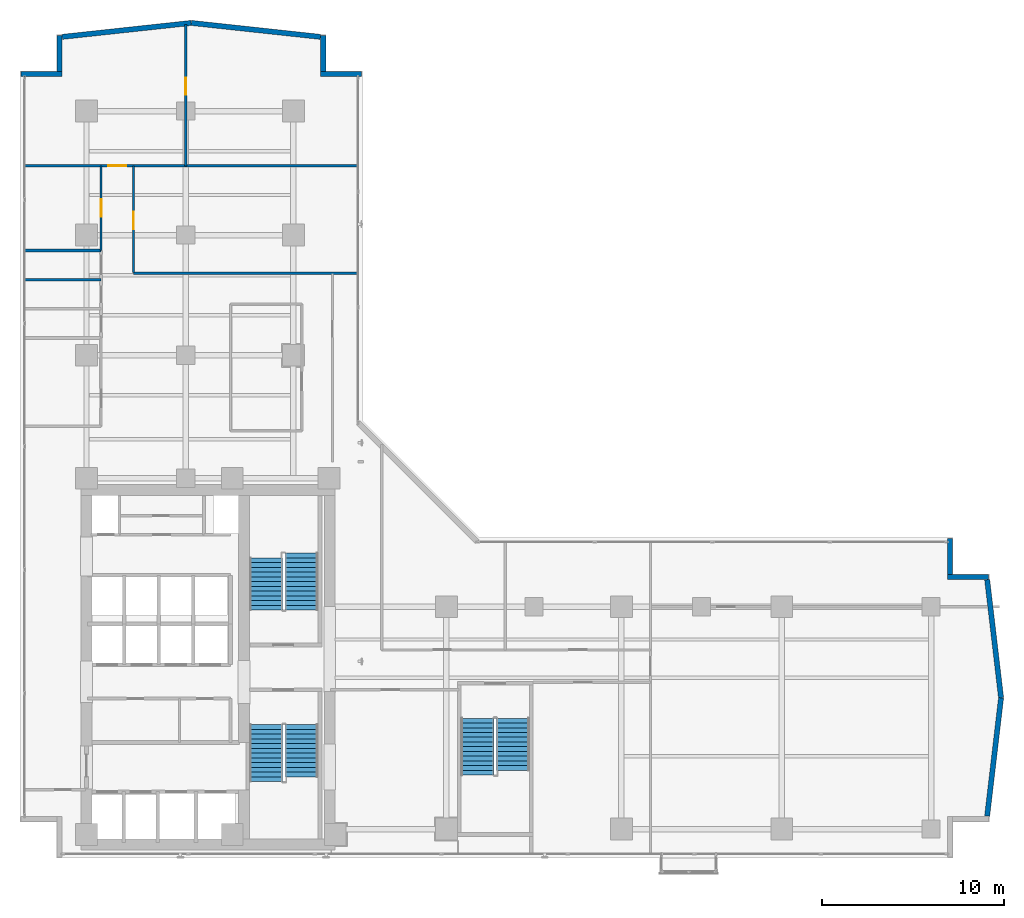
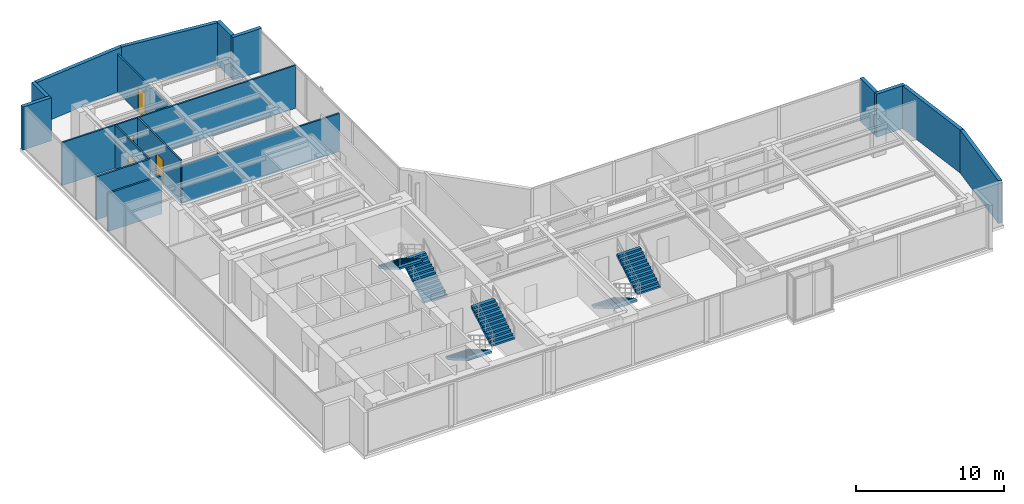
# One storey, part 21 of 26: 17 walls, 6 stair flights, 4 doors, 4 openings, 3 elements without a shape of their own.
"""IFC4 building model written with IfcOpenShell, lengths in metres."""

from ifc_helpers import new_model, si_unit, direction, frame, frame_2d, origin, place, context, subcontext, project, spatial, polyline, rectangle, outline, extrude, material, layer, layer_set, type_object, element, fill, aggregate, save


model = new_model("IFC4")

# Units and contexts
model_context = context("Model", 3, precision=1e-05, world=origin(), true_north=direction((0.0, 1.0)))
body_context = subcontext(model_context, "Body", "Model", "MODEL_VIEW")
ifc_project = project(units=[si_unit("LENGTHUNIT", "METRE"), si_unit("AREAUNIT", "SQUARE_METRE"), si_unit("VOLUMEUNIT", "CUBIC_METRE"), si_unit("PLANEANGLEUNIT", "RADIAN"), si_unit("MASSUNIT", "GRAM", prefix="KILO")], contexts=[model_context])

# Site, building, storey
site_placement = place(None, origin())
site = spatial("IfcSite", under=ifc_project, at=site_placement, CompositionType="ELEMENT")
building_placement = place(site_placement, origin())
building = spatial("IfcBuilding", under=site, at=building_placement, Name="Kolvaren Waterfront Exchange", CompositionType="ELEMENT")
storey_placement = place(building_placement, frame((0.0, 0.0, 180.39990234375)))
storey = spatial("IfcBuildingStorey", under=building, at=storey_placement, Name="L46", CompositionType="ELEMENT", Elevation=180.39990234375)

# Walls
ifc_material_1 = material(Name="Precast concrete C40/50", Category="concrete")
ifc_layer_1 = layer(ifc_material_1, 0.280029296875, Name="Precast concrete C40/50")
ifc_layer_set_1 = layer_set([ifc_layer_1], Name="Precast concrete C40/50")
wall_type_1 = type_object("IfcWallType", Name="ARC-EXT-TERR-280", PredefinedType="SOLIDWALL", material=ifc_layer_set_1)
wall_1_placement = place(storey_placement, frame((54.840087890625, 19.1650390625, 0.0), z_axis=(0.0, 0.0, 1.0), x_axis=(0.0, 1.0, 0.0)))
element("IfcWall", 1, at=wall_1_placement, inside=storey, type_object=wall_type_1, Name="L46 notched corner spandrel pier ENE-A", PredefinedType="SOLIDWALL", context=body_context, shape_type="SweptSolid", body=[
    extrude(rectangle(XDim=1.974853515625, YDim=0.280029296875, at=frame_2d((0.9873046875, 0.0))), origin(), (0.0, 0.0, 1.0), 3.56005859375),
])
for number, where, z_axis, x_axis, name in (
    (2, (54.699951171875, 19.0400390625, 0.0), (0.0, 0.0, 1.0), (1.0, 0.0, 0.0), "L46 notched corner spandrel pier ENE-B"),
    (3, (20.300048828125, 46.639892578125, 0.0), (0.0, 0.0, 1.0), (1.0, 0.0, 0.0), "L46 notched corner spandrel pier NNE-A"),
):
    element("IfcWall", number, at=place(storey_placement, frame(where, z_axis=z_axis, x_axis=x_axis)), inside=storey, type_object=wall_type_1, Name=name, PredefinedType="SOLIDWALL", context=body_context, shape_type="SweptSolid", body=[
        extrude(rectangle(XDim=2.239990234375, YDim=0.280029296875, at=frame_2d((1.1201171875, 0.0))), origin(), (0.0, 0.0, 1.0), 3.56005859375),
    ])
wall_2_placement = place(storey_placement, frame((20.43994140625, 46.780029296875, 0.0), z_axis=(0.0, 0.0, 1.0), x_axis=(0.0, 1.0, 0.0)))
element("IfcWall", 4, at=wall_2_placement, inside=storey, type_object=wall_type_1, Name="L46 notched corner spandrel pier NNE-B", PredefinedType="SOLIDWALL", context=body_context, shape_type="SweptSolid", body=[
    extrude(rectangle(XDim=1.9599609375, YDim=0.280029296875, at=frame_2d((0.97998046875, 0.0))), origin(), (0.0, 0.0, 1.0), 3.56005859375),
])
wall_3_placement = place(storey_placement, frame((3.860107421875, 46.639892578125, 0.0), z_axis=(0.0, 0.0, 1.0), x_axis=(1.0, 0.0, 0.0)))
element("IfcWall", 5, at=wall_3_placement, inside=storey, type_object=wall_type_1, Name="L46 notched corner spandrel pier NW-A", PredefinedType="SOLIDWALL", context=body_context, shape_type="SweptSolid", body=[
    extrude(rectangle(XDim=2.239990234375, YDim=0.280029296875, at=frame_2d((1.1201171875, 0.0))), origin(), (0.0, 0.0, 1.0), 3.56005859375),
])
wall_4_placement = place(storey_placement, frame((5.9599609375, 46.780029296875, 0.0), z_axis=(0.0, 0.0, 1.0), x_axis=(0.0, 1.0, 0.0)))
element("IfcWall", 6, at=wall_4_placement, inside=storey, type_object=wall_type_1, Name="L46 notched corner spandrel pier NW-B", PredefinedType="SOLIDWALL", context=body_context, shape_type="SweptSolid", body=[
    extrude(rectangle(XDim=1.9599609375, YDim=0.280029296875, at=frame_2d((0.97998046875, 0.0))), origin(), (0.0, 0.0, 1.0), 3.56005859375),
])
for number, where, z_axis, x_axis, name in (
    (7, (56.876220703125, 5.91650390625, 0.0), (0.0, 0.0, 1.0), (0.11685426921, 0.993149072278, 0.0), "L46 east prow faceted facade wall 1"),
    (8, (57.638916015625, 12.401123046875, 0.0), (0.0, 0.0, 1.0), (-0.11685426921, 0.993149072278, 0.0), "L46 east prow faceted facade wall 2"),
):
    element("IfcWall", number, at=place(storey_placement, frame(where, z_axis=z_axis, x_axis=x_axis)), inside=storey, type_object=wall_type_1, Name=name, PredefinedType="SOLIDWALL", context=body_context, shape_type="SweptSolid", body=[
        extrude(rectangle(XDim=6.52685546875, YDim=0.280029296875, at=frame_2d((3.263427734375, 0.0))), origin(), (0.0, 0.0, 1.0), 3.56005859375),
    ])
for number, where, z_axis, x_axis, name in (
    (9, (20.284423828125, 48.673095703125, 0.0), (0.0, 0.0, 1.0), (-0.994206651606, 0.107485505548, 0.0), "L46 north prow faceted facade wall 1"),
    (10, (13.197265625, 49.438720703125, 0.0), (0.0, 0.0, 1.0), (-0.994206651606, -0.107485505548, 0.0), "L46 north prow faceted facade wall 2"),
):
    element("IfcWall", number, at=place(storey_placement, frame(where, z_axis=z_axis, x_axis=x_axis)), inside=storey, type_object=wall_type_1, Name=name, PredefinedType="SOLIDWALL", context=body_context, shape_type="SweptSolid", body=[
        extrude(rectangle(XDim=7.123046875, YDim=0.280029296875, at=frame_2d((3.5615234375, 0.0))), origin(), (0.0, 0.0, 1.0), 3.56005859375),
    ])
ifc_material_2 = material(Name="Acoustic gypsum steel stud", Category="steel")
ifc_layer_2 = layer(ifc_material_2, 0.125, Name="Acoustic gypsum steel stud")
ifc_layer_set_2 = layer_set([ifc_layer_2], Name="Acoustic gypsum steel stud")
wall_type_2 = type_object("IfcWallType", Name="ARC-PART-125", PredefinedType="PARTITIONING", material=ifc_layer_set_2)
wall_5_placement = place(storey_placement, frame((10.030029296875, 35.699951171875, 0.0), z_axis=(0.0, 0.0, 1.0), x_axis=(1.0, 0.0, 0.0)))
element("IfcWall", 11, at=wall_5_placement, inside=storey, type_object=wall_type_2, Name="L46 interior wall PW-L46-RFLANK-N", PredefinedType="PARTITIONING", context=body_context, shape_type="SweptSolid", body=[
    extrude(rectangle(XDim=12.330078125, YDim=0.125, at=frame_2d((6.1650390625, 0.0))), origin(), (0.0, 0.0, 1.0), 3.16015625),
])

# Wall, opening, door
wall_6_placement = place(storey_placement, frame((8.25, 36.949951171875, 0.0), z_axis=(0.0, 0.0, 1.0), x_axis=(0.0, 1.0, 0.0)))
wall_6 = element("IfcWall", 12, at=wall_6_placement, inside=storey, type_object=wall_type_2, Name="L46 interior wall PW-L46-NW-CORR", PredefinedType="PARTITIONING", context=body_context, shape_type="SweptSolid", body=[
    extrude(rectangle(XDim=4.650146484375, YDim=0.125, at=frame_2d((2.3251953125, 0.0))), origin(), (0.0, 0.0, 1.0), 3.56005859375),
])
opening_1_placement = place(wall_6_placement, frame((1.85009765625, 0.0, 0.0)))
opening_1 = element("IfcOpeningElement", 13, at=opening_1_placement, cuts=wall_6, Name="Opening D02", PredefinedType="OPENING", context=body_context, shape_type="SweptSolid", body=[
    extrude(rectangle(XDim=0.949951171875, YDim=2.14990234375, at=frame_2d((0.47509765625, 1.074951171875))), frame((0.0, 0.072509765625, 0.0), z_axis=(0.0, -1.0, 0.0), x_axis=(1.0, 0.0, 0.0)), (0.0, 0.0, 1.0), 0.14501953125),
])
ifc_material_3 = material(Name="Oak veneer acoustic timber", Category="wood")
door_type_1 = type_object("IfcDoorType", Name="ARC-DR-950", OperationType="NOTDEFINED", PredefinedType="DOOR", material=ifc_material_3)
door_1_placement = place(opening_1_placement, origin())
door_1 = element("IfcDoor", 14, at=door_1_placement, inside=storey, type_object=door_type_1, Name="L46 door DR-L46-NW-D-1 (D02)", OperationType="SINGLE_SWING_RIGHT", OverallHeight=2.14990234375, OverallWidth=0.949951171875, PredefinedType="DOOR", context=body_context, shape_type="SweptSolid", body=[
    extrude(rectangle(XDim=0.949951171875, YDim=2.14990234375, at=frame_2d((0.47509765625, 1.074951171875))), frame((0.0, 0.02490234375, 0.0), z_axis=(0.0, -1.0, 0.0), x_axis=(1.0, 0.0, 0.0)), (0.0, 0.0, 1.0), 0.050048828125),
])
fill(opening_1, door_1)

wall_7_placement = place(storey_placement, frame((4.0400390625, 41.60009765625, 0.0), z_axis=(0.0, 0.0, 1.0), x_axis=(1.0, 0.0, 0.0)))
wall_7 = element("IfcWall", 15, at=wall_7_placement, inside=storey, type_object=wall_type_2, Name="L46 interior wall PW-L46-NTIP-S", PredefinedType="PARTITIONING", context=body_context, shape_type="SweptSolid", body=[
    extrude(rectangle(XDim=18.320068359375, YDim=0.125, at=frame_2d((9.16015625, 0.0))), origin(), (0.0, 0.0, 1.0), 3.56005859375),
])
opening_2_placement = place(wall_7_placement, frame((4.60009765625, 0.0, 0.0)))
opening_2 = element("IfcOpeningElement", 16, at=opening_2_placement, cuts=wall_7, Name="Opening D03", PredefinedType="OPENING", context=body_context, shape_type="SweptSolid", body=[
    extrude(rectangle(XDim=1.0, YDim=2.199951171875, at=frame_2d((0.5, 1.10009765625))), frame((0.0, 0.072509765625, 0.0), z_axis=(0.0, -1.0, 0.0), x_axis=(1.0, 0.0, 0.0)), (0.0, 0.0, 1.0), 0.14501953125),
])
ifc_material_4 = material(Name="Oak veneer accessible timber", Category="wood")
door_type_2 = type_object("IfcDoorType", Name="ARC-DR-1000", OperationType="NOTDEFINED", PredefinedType="DOOR", material=ifc_material_4)
door_2_placement = place(opening_2_placement, origin())
door_2 = element("IfcDoor", 17, at=door_2_placement, inside=storey, type_object=door_type_2, Name="L46 door DR-L46-NTIPW-D (D03)", OperationType="SINGLE_SWING_LEFT", OverallHeight=2.199951171875, OverallWidth=1.0, PredefinedType="DOOR", context=body_context, shape_type="SweptSolid", body=[
    extrude(rectangle(XDim=1.0, YDim=2.199951171875, at=frame_2d((0.5, 1.10009765625))), frame((0.0, 0.02490234375, 0.0), z_axis=(0.0, -1.0, 0.0), x_axis=(1.0, 0.0, 0.0)), (0.0, 0.0, 1.0), 0.050048828125),
])
fill(opening_2, door_2)

wall_8_placement = place(storey_placement, frame((12.89990234375, 41.60009765625, 0.0), z_axis=(0.0, 0.0, 1.0), x_axis=(0.0, 1.0, 0.0)))
wall_8 = element("IfcWall", 18, at=wall_8_placement, inside=storey, type_object=wall_type_2, Name="L46 interior wall PW-L46-NTIP-DIV", PredefinedType="PARTITIONING", context=body_context, shape_type="SweptSolid", body=[
    extrude(rectangle(XDim=7.760009765625, YDim=0.125, at=frame_2d((3.8798828125, 0.0))), origin(), (0.0, 0.0, 1.0), 3.110107421875),
])
opening_3_placement = place(wall_8_placement, frame((3.8935546875, 0.0, 0.0)))
opening_3 = element("IfcOpeningElement", 19, at=opening_3_placement, cuts=wall_8, Name="Opening D02", PredefinedType="OPENING", context=body_context, shape_type="SweptSolid", body=[
    extrude(rectangle(XDim=0.949951171875, YDim=2.14990234375, at=frame_2d((0.47509765625, 1.074951171875))), frame((0.0, 0.072509765625, 0.0), z_axis=(0.0, -1.0, 0.0), x_axis=(1.0, 0.0, 0.0)), (0.0, 0.0, 1.0), 0.14501953125),
])
door_3_placement = place(opening_3_placement, origin())
door_3 = element("IfcDoor", 20, at=door_3_placement, inside=storey, type_object=door_type_1, Name="L46 door DR-L46-NTIPE-D (D02)", OperationType="SINGLE_SWING_RIGHT", OverallHeight=2.14990234375, OverallWidth=0.949951171875, PredefinedType="DOOR", context=body_context, shape_type="SweptSolid", body=[
    extrude(rectangle(XDim=0.949951171875, YDim=2.14990234375, at=frame_2d((0.47509765625, 1.074951171875))), frame((0.0, 0.02490234375, 0.0), z_axis=(0.0, -1.0, 0.0), x_axis=(1.0, 0.0, 0.0)), (0.0, 0.0, 1.0), 0.050048828125),
])
fill(opening_3, door_3)

wall_9_placement = place(storey_placement, frame((10.030029296875, 35.75, 0.0), z_axis=(0.0, 0.0, 1.0), x_axis=(0.0, 1.0, 0.0)))
wall_9 = element("IfcWall", 21, at=wall_9_placement, inside=storey, type_object=wall_type_2, Name="L46 interior wall PW-L46-NE-CORR", PredefinedType="PARTITIONING", context=body_context, shape_type="SweptSolid", body=[
    extrude(rectangle(XDim=5.85009765625, YDim=0.125, at=frame_2d((2.925048828125, 0.0))), origin(), (0.0, 0.0, 1.0), 3.56005859375),
])
opening_4_placement = place(wall_9_placement, frame((2.37939453125, 0.0, 0.0)))
opening_4 = element("IfcOpeningElement", 22, at=opening_4_placement, cuts=wall_9, Name="Opening D02", PredefinedType="OPENING", context=body_context, shape_type="SweptSolid", body=[
    extrude(rectangle(XDim=0.949951171875, YDim=2.14990234375, at=frame_2d((0.47509765625, 1.074951171875))), frame((0.0, 0.072509765625, 0.0), z_axis=(0.0, -1.0, 0.0), x_axis=(1.0, 0.0, 0.0)), (0.0, 0.0, 1.0), 0.14501953125),
])
door_4_placement = place(opening_4_placement, origin())
door_4 = element("IfcDoor", 23, at=door_4_placement, inside=storey, type_object=door_type_1, Name="L46 door DR-L46-NE-D-1 (D02)", OperationType="SINGLE_SWING_LEFT", OverallHeight=2.14990234375, OverallWidth=0.949951171875, PredefinedType="DOOR", context=body_context, shape_type="SweptSolid", body=[
    extrude(rectangle(XDim=0.949951171875, YDim=2.14990234375, at=frame_2d((0.47509765625, 1.074951171875))), frame((0.0, 0.02490234375, 0.0), z_axis=(0.0, -1.0, 0.0), x_axis=(1.0, 0.0, 0.0)), (0.0, 0.0, 1.0), 0.050048828125),
])
fill(opening_4, door_4)

# Walls
ifc_material_5 = material(Name="Moisture-resistant gypsum stud")
ifc_layer_3 = layer(ifc_material_5, 0.14990234375, Name="Moisture-resistant gypsum stud")
ifc_layer_set_3 = layer_set([ifc_layer_3], Name="Moisture-resistant gypsum stud")
wall_type_3 = type_object("IfcWallType", Name="ARC-PLUMB-150", PredefinedType="PLUMBINGWALL", material=ifc_layer_set_3)
wall_10_placement = place(storey_placement, frame((4.0400390625, 35.35009765625, 0.0), z_axis=(0.0, 0.0, 1.0), x_axis=(1.0, 0.0, 0.0)))
element("IfcWall", 24, at=wall_10_placement, inside=storey, type_object=wall_type_3, Name="L46 interior wall PW-L46-WC-2", PredefinedType="PLUMBINGWALL", context=body_context, shape_type="SweptSolid", body=[
    extrude(rectangle(XDim=4.2099609375, YDim=0.14990234375, at=frame_2d((2.10498046875, 0.0))), origin(), (0.0, 0.0, 1.0), 3.16015625),
])
wall_11_placement = place(storey_placement, frame((4.0400390625, 36.949951171875, 0.0), z_axis=(0.0, 0.0, 1.0), x_axis=(1.0, 0.0, 0.0)))
element("IfcWall", 25, at=wall_11_placement, inside=storey, type_object=wall_type_3, Name="L46 interior wall PW-L46-WC-3", PredefinedType="PLUMBINGWALL", context=body_context, shape_type="SweptSolid", body=[
    extrude(rectangle(XDim=4.2099609375, YDim=0.14990234375, at=frame_2d((2.10498046875, 0.0))), origin(), (0.0, 0.0, 1.0), 3.56005859375),
])

# Stair, stair flights
ifc_material_6 = material(Name="Concrete C40/50", Category="concrete")
stair_type = type_object("IfcStairType", Name="ARC-STAIR-3800", PredefinedType="HALF_TURN_STAIR", material=ifc_material_6)
stair_1_placement = place(storey_placement, origin())
stair_1 = element("IfcStair", 26, at=stair_1_placement, inside=storey, type_object=stair_type, Name="L46 Smoke-proof exit stair ST1", PredefinedType="HALF_TURN_STAIR")
stair_flight_type = type_object("IfcStairFlightType", Name="ARC-FLIGHT-3800", PredefinedType="STRAIGHT", material=ifc_material_6)
stair_flight_1_placement = place(storey_placement, frame((17.300048828125, 10.929931640625, 0.0), z_axis=(0.0, 0.0, 1.0), x_axis=(0.0, -1.0, 0.0)))
stair_flight_1 = element("IfcStairFlight", 27, at=stair_flight_1_placement, type_object=stair_flight_type, Name="ST1 flight 1", NumberOfRisers=13, NumberOfTreads=12, PredefinedType="STRAIGHT", RiserHeight=0.152, TreadLength=0.26, context=body_context, shape_type="SweptSolid", body=[
    extrude(outline(polyline([(0.0, 0.0), (0.0, 0.152099609375), (0.260009765625, 0.152099609375), (0.260009765625, 0.303955078125), (0.52001953125, 0.303955078125), (0.52001953125, 0.4560546875), (0.780029296875, 0.4560546875), (0.780029296875, 0.60791015625), (1.0400390625, 0.60791015625), (1.0400390625, 0.760009765625), (1.300048828125, 0.760009765625), (1.300048828125, 0.912109375), (1.56005859375, 0.912109375), (1.56005859375, 1.06396484375), (1.820068359375, 1.06396484375), (1.820068359375, 1.216064453125), (2.080078125, 1.216064453125), (2.080078125, 1.367919921875), (2.340087890625, 1.367919921875), (2.340087890625, 1.52001953125), (2.60009765625, 1.52001953125), (2.60009765625, 1.672119140625), (2.860107421875, 1.672119140625), (2.860107421875, 1.823974609375), (3.1201171875, 1.823974609375), (3.1201171875, 1.97607421875), (3.1201171875, 1.650390625), (0.297119140625, 0.0), (0.0, 0.0)])), frame((0.0, 0.89990234375, 0.0), z_axis=(0.0, -1.0, 0.0), x_axis=(1.0, 0.0, 0.0)), (0.0, 0.0, 1.0), 1.800048828125),
])
stair_flight_2_placement = place(storey_placement, frame((19.260009765625, 8.070068359375, 1.97607421875), z_axis=(0.0, 0.0, 1.0), x_axis=(0.0, 1.0, 0.0)))
stair_flight_2 = element("IfcStairFlight", 28, at=stair_flight_2_placement, type_object=stair_flight_type, Name="ST1 flight 2", NumberOfRisers=12, NumberOfTreads=11, PredefinedType="STRAIGHT", RiserHeight=0.152, TreadLength=0.26, context=body_context, shape_type="SweptSolid", body=[
    extrude(outline(polyline([(0.0, 0.0), (0.0, 0.152099609375), (0.260009765625, 0.152099609375), (0.260009765625, 0.303955078125), (0.52001953125, 0.303955078125), (0.52001953125, 0.4560546875), (0.780029296875, 0.4560546875), (0.780029296875, 0.60791015625), (1.0400390625, 0.60791015625), (1.0400390625, 0.760009765625), (1.300048828125, 0.760009765625), (1.300048828125, 0.912109375), (1.56005859375, 0.912109375), (1.56005859375, 1.06396484375), (1.820068359375, 1.06396484375), (1.820068359375, 1.216064453125), (2.080078125, 1.216064453125), (2.080078125, 1.367919921875), (2.340087890625, 1.367919921875), (2.340087890625, 1.52001953125), (2.60009765625, 1.52001953125), (2.60009765625, 1.672119140625), (2.860107421875, 1.672119140625), (2.860107421875, 1.823974609375), (2.860107421875, 1.498291015625), (0.297119140625, 0.0), (0.0, 0.0)])), frame((0.0, 0.89990234375, 0.0), z_axis=(0.0, -1.0, 0.0), x_axis=(1.0, 0.0, 0.0)), (0.0, 0.0, 1.0), 1.800048828125),
])
aggregate(stair_1, [stair_flight_1, stair_flight_2])

stair_2_placement = place(storey_placement, origin())
stair_2 = element("IfcStair", 29, at=stair_2_placement, inside=storey, type_object=stair_type, Name="L46 Smoke-proof exit stair ST2", PredefinedType="HALF_TURN_STAIR")
stair_flight_3_placement = place(storey_placement, frame((19.260009765625, 17.219970703125, 0.0), z_axis=(0.0, 0.0, 1.0), x_axis=(0.0, 1.0, 0.0)))
stair_flight_3 = element("IfcStairFlight", 30, at=stair_flight_3_placement, type_object=stair_flight_type, Name="ST2 flight 1", NumberOfRisers=13, NumberOfTreads=12, PredefinedType="STRAIGHT", RiserHeight=0.152, TreadLength=0.26, context=body_context, shape_type="SweptSolid", body=[
    extrude(outline(polyline([(0.0, 0.0), (0.0, 0.152099609375), (0.260009765625, 0.152099609375), (0.260009765625, 0.303955078125), (0.52001953125, 0.303955078125), (0.52001953125, 0.4560546875), (0.780029296875, 0.4560546875), (0.780029296875, 0.60791015625), (1.0400390625, 0.60791015625), (1.0400390625, 0.760009765625), (1.300048828125, 0.760009765625), (1.300048828125, 0.912109375), (1.56005859375, 0.912109375), (1.56005859375, 1.06396484375), (1.820068359375, 1.06396484375), (1.820068359375, 1.216064453125), (2.080078125, 1.216064453125), (2.080078125, 1.367919921875), (2.340087890625, 1.367919921875), (2.340087890625, 1.52001953125), (2.60009765625, 1.52001953125), (2.60009765625, 1.672119140625), (2.860107421875, 1.672119140625), (2.860107421875, 1.823974609375), (3.1201171875, 1.823974609375), (3.1201171875, 1.97607421875), (3.1201171875, 1.650390625), (0.297119140625, 0.0), (0.0, 0.0)])), frame((0.0, 0.89990234375, 0.0), z_axis=(0.0, -1.0, 0.0), x_axis=(1.0, 0.0, 0.0)), (0.0, 0.0, 1.0), 1.800048828125),
])
stair_flight_4_placement = place(storey_placement, frame((17.300048828125, 20.080078125, 1.97607421875), z_axis=(0.0, 0.0, 1.0), x_axis=(0.0, -1.0, 0.0)))
stair_flight_4 = element("IfcStairFlight", 31, at=stair_flight_4_placement, type_object=stair_flight_type, Name="ST2 flight 2", NumberOfRisers=12, NumberOfTreads=11, PredefinedType="STRAIGHT", RiserHeight=0.152, TreadLength=0.26, context=body_context, shape_type="SweptSolid", body=[
    extrude(outline(polyline([(0.0, 0.0), (0.0, 0.152099609375), (0.260009765625, 0.152099609375), (0.260009765625, 0.303955078125), (0.52001953125, 0.303955078125), (0.52001953125, 0.4560546875), (0.780029296875, 0.4560546875), (0.780029296875, 0.60791015625), (1.0400390625, 0.60791015625), (1.0400390625, 0.760009765625), (1.300048828125, 0.760009765625), (1.300048828125, 0.912109375), (1.56005859375, 0.912109375), (1.56005859375, 1.06396484375), (1.820068359375, 1.06396484375), (1.820068359375, 1.216064453125), (2.080078125, 1.216064453125), (2.080078125, 1.367919921875), (2.340087890625, 1.367919921875), (2.340087890625, 1.52001953125), (2.60009765625, 1.52001953125), (2.60009765625, 1.672119140625), (2.860107421875, 1.672119140625), (2.860107421875, 1.823974609375), (2.860107421875, 1.498291015625), (0.297119140625, 0.0), (0.0, 0.0)])), frame((0.0, 0.89990234375, 0.0), z_axis=(0.0, -1.0, 0.0), x_axis=(1.0, 0.0, 0.0)), (0.0, 0.0, 1.0), 1.800048828125),
])
aggregate(stair_2, [stair_flight_3, stair_flight_4])

stair_3_placement = place(storey_placement, origin())
stair_3 = element("IfcStair", 32, at=stair_3_placement, inside=storey, type_object=stair_type, Name="L46 Exit stair ST3", PredefinedType="HALF_TURN_STAIR")
stair_flight_5_placement = place(storey_placement, frame((28.89990234375, 11.280029296875, 0.0), z_axis=(0.0, 0.0, 1.0), x_axis=(0.0, -1.0, 0.0)))
stair_flight_5 = element("IfcStairFlight", 33, at=stair_flight_5_placement, type_object=stair_flight_type, Name="ST3 flight 1", NumberOfRisers=13, NumberOfTreads=12, PredefinedType="STRAIGHT", RiserHeight=0.152, TreadLength=0.26, context=body_context, shape_type="SweptSolid", body=[
    extrude(outline(polyline([(0.0, 0.0), (0.0, 0.152099609375), (0.260009765625, 0.152099609375), (0.260009765625, 0.303955078125), (0.52001953125, 0.303955078125), (0.52001953125, 0.4560546875), (0.780029296875, 0.4560546875), (0.780029296875, 0.60791015625), (1.0400390625, 0.60791015625), (1.0400390625, 0.760009765625), (1.300048828125, 0.760009765625), (1.300048828125, 0.912109375), (1.56005859375, 0.912109375), (1.56005859375, 1.06396484375), (1.820068359375, 1.06396484375), (1.820068359375, 1.216064453125), (2.080078125, 1.216064453125), (2.080078125, 1.367919921875), (2.340087890625, 1.367919921875), (2.340087890625, 1.52001953125), (2.60009765625, 1.52001953125), (2.60009765625, 1.672119140625), (2.860107421875, 1.672119140625), (2.860107421875, 1.823974609375), (3.1201171875, 1.823974609375), (3.1201171875, 1.97607421875), (3.1201171875, 1.650390625), (0.297119140625, 0.0), (0.0, 0.0)])), frame((0.0, 0.89990234375, 0.0), z_axis=(0.0, -1.0, 0.0), x_axis=(1.0, 0.0, 0.0)), (0.0, 0.0, 1.0), 1.800048828125),
])
stair_flight_6_placement = place(storey_placement, frame((30.860107421875, 8.419921875, 1.97607421875), z_axis=(0.0, 0.0, 1.0), x_axis=(0.0, 1.0, 0.0)))
stair_flight_6 = element("IfcStairFlight", 34, at=stair_flight_6_placement, type_object=stair_flight_type, Name="ST3 flight 2", NumberOfRisers=12, NumberOfTreads=11, PredefinedType="STRAIGHT", RiserHeight=0.152, TreadLength=0.26, context=body_context, shape_type="SweptSolid", body=[
    extrude(outline(polyline([(0.0, 0.0), (0.0, 0.152099609375), (0.260009765625, 0.152099609375), (0.260009765625, 0.303955078125), (0.52001953125, 0.303955078125), (0.52001953125, 0.4560546875), (0.780029296875, 0.4560546875), (0.780029296875, 0.60791015625), (1.0400390625, 0.60791015625), (1.0400390625, 0.760009765625), (1.300048828125, 0.760009765625), (1.300048828125, 0.912109375), (1.56005859375, 0.912109375), (1.56005859375, 1.06396484375), (1.820068359375, 1.06396484375), (1.820068359375, 1.216064453125), (2.080078125, 1.216064453125), (2.080078125, 1.367919921875), (2.340087890625, 1.367919921875), (2.340087890625, 1.52001953125), (2.60009765625, 1.52001953125), (2.60009765625, 1.672119140625), (2.860107421875, 1.672119140625), (2.860107421875, 1.823974609375), (2.860107421875, 1.498291015625), (0.297119140625, 0.0), (0.0, 0.0)])), frame((0.0, 0.89990234375, 0.0), z_axis=(0.0, -1.0, 0.0), x_axis=(1.0, 0.0, 0.0)), (0.0, 0.0, 1.0), 1.800048828125),
])
aggregate(stair_3, [stair_flight_5, stair_flight_6])

save(model, "model.ifc")
